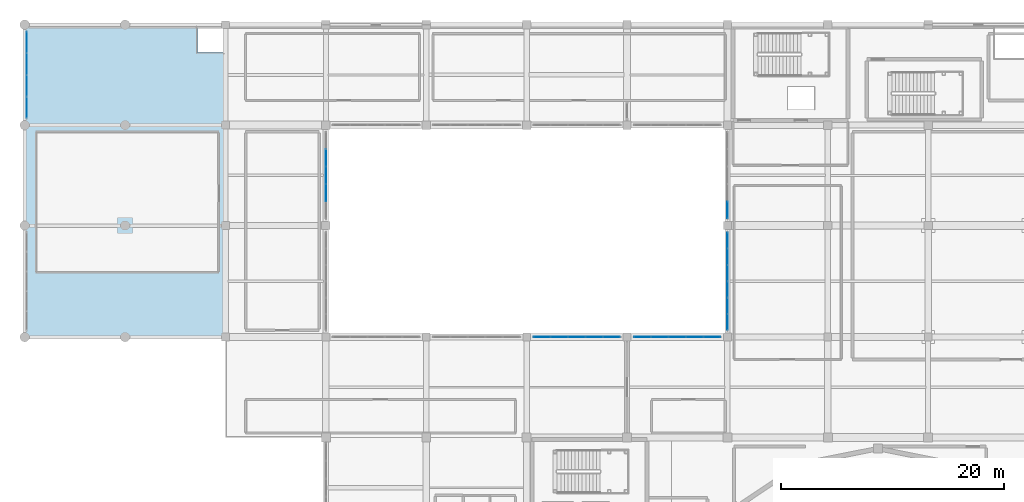
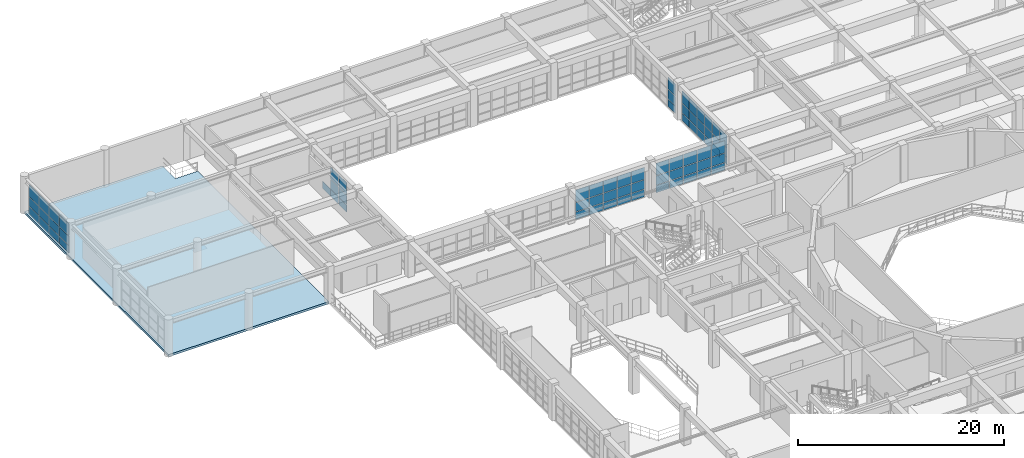
# One storey, part 96 of 133: 70 plates, 1 slab, 6 elements without a shape of their own.
"""IFC4 building model written with IfcOpenShell, lengths in metres."""

import ifcopenshell
import ifcopenshell.guid

model = None  # the IFC model being written
_history = None  # IfcOwnerHistory: only IFC2X3 demands one
_inside = {}  # id of a spatial element -> (the spatial element, [elements in it])
_under = {}  # id of a project, library or spatial element -> (it, [spatial elements below it])
_declared = {}  # id of a project -> (the project, [libraries it declares])
_typed = {}  # id of a type object -> (the type object, [elements of that type])
_made_of = {}  # id of a material, layer set ... -> (it, [elements and type objects made of it])


def new_model(schema):
    """Start an empty IFC model of exactly this schema.

    Asked for "IFC4X3", IfcOpenShell would pick the latest addendum, in which some entities
    have other attributes; the version numbers below select the first issue.
    IFC2X3 requires an IfcOwnerHistory on every rooted entity: one is made here for all.
    """
    global model, _history
    if schema == "IFC4X3":
        model = ifcopenshell.file(schema_version=(4, 3, 0, 0))
    else:
        model = ifcopenshell.file(schema=schema)
    _inside.clear()
    _under.clear()
    _declared.clear()
    _typed.clear()
    _made_of.clear()
    _history = None
    if model.schema == "IFC2X3":
        org = make("IfcOrganization", Name="unknown")
        user = make(
            "IfcPersonAndOrganization",
            ThePerson=make("IfcPerson", FamilyName="unknown"),
            TheOrganization=org,
        )
        app = make(
            "IfcApplication",
            ApplicationDeveloper=org,
            Version="unknown",
            ApplicationFullName="unknown",
            ApplicationIdentifier="unknown",
        )
        _history = make(
            "IfcOwnerHistory",
            OwningUser=user,
            OwningApplication=app,
            ChangeAction="ADDED",
            CreationDate=0,
        )
    return model


def make(cls, **values):
    """One entity of the class cls with the attributes given. An attribute that is None is left unset."""
    return model.create_entity(
        cls, **{name: value for name, value in values.items() if value is not None}
    )


def rooted(cls, **values):
    """An entity with a GlobalId (a new one), such as an element, a storey or a relation."""
    return make(cls, GlobalId=ifcopenshell.guid.new(), OwnerHistory=_history, **values)


def si_unit(unit_type, name, prefix=None):
    """IfcSIUnit, for example si_unit("LENGTHUNIT", "METRE", prefix="MILLI")."""
    return make("IfcSIUnit", UnitType=unit_type, Prefix=prefix, Name=name)


def assignment(units):
    """IfcUnitAssignment: the units of a project."""
    return None if units is None else make("IfcUnitAssignment", Units=units)


def point(xyz):
    """IfcCartesianPoint."""
    return None if xyz is None else make("IfcCartesianPoint", Coordinates=xyz)


def direction(xyz):
    """IfcDirection."""
    return None if xyz is None else make("IfcDirection", DirectionRatios=xyz)


def frame(location, z_axis=None, x_axis=None):
    """IfcAxis2Placement3D, a coordinate frame: its origin and axes. An axis left out is left unset."""
    return make(
        "IfcAxis2Placement3D",
        Location=point(location),
        Axis=direction(z_axis),
        RefDirection=direction(x_axis),
    )


def frame_2d(location, x_axis=None):
    """IfcAxis2Placement2D, a coordinate frame in the plane: its origin and x axis."""
    return make(
        "IfcAxis2Placement2D", Location=point(location), RefDirection=direction(x_axis)
    )


def origin():
    """The frame at (0, 0, 0) with its axes left unset."""
    return frame((0.0, 0.0, 0.0))


def origin_2d():
    """The frame at (0, 0) in the plane with its x axis left unset."""
    return frame_2d((0.0, 0.0))


def place(relative_to, where):
    """IfcLocalPlacement: puts the frame where relative to a parent placement (None: the world)."""
    return make(
        "IfcLocalPlacement", PlacementRelTo=relative_to, RelativePlacement=where
    )


def context(
    kind, dimensions, precision=None, world=None, true_north=None, identifier=None
):
    """IfcGeometricRepresentationContext, for example the 3D "Model" context."""
    return make(
        "IfcGeometricRepresentationContext",
        ContextIdentifier=identifier,
        ContextType=kind,
        CoordinateSpaceDimension=dimensions,
        Precision=precision,
        WorldCoordinateSystem=world,
        TrueNorth=true_north,
    )


def subcontext(parent, identifier, kind, view, scale=None):
    """IfcGeometricRepresentationSubContext, for example "Body" below "Model"."""
    return make(
        "IfcGeometricRepresentationSubContext",
        ContextIdentifier=identifier,
        ContextType=kind,
        ParentContext=parent,
        TargetScale=scale,
        TargetView=view,
    )


def project(units=None, contexts=None):
    """IfcProject with its units and contexts."""
    return rooted(
        "IfcProject",
        Name="project",
        RepresentationContexts=contexts,
        UnitsInContext=assignment(units),
    )


def spatial(cls, under=None, at=None, **own):
    """A site, building, storey or space (cls), placed at a placement, below another one or the project."""
    s = rooted(cls, ObjectPlacement=at, **own)
    if under is not None:
        _under.setdefault(under.id(), (under, []))[1].append(s)
    return s


def polyline(points):
    """IfcPolyline through the points."""
    return make("IfcPolyline", Points=[point(p) for p in points])


def profile(cls, at=None, kind="AREA", **sizes):
    """A parametric profile (cls). Its sizes go by their IFC names, for example OverallWidth=200.0."""
    return make(cls, ProfileType=kind, Position=at, **sizes)


def rectangle(**sizes):
    """IfcRectangleProfileDef."""
    return profile("IfcRectangleProfileDef", **sizes)


def outline(outer, holes=None, kind="AREA"):
    """IfcArbitraryClosedProfileDef: a profile drawn as a closed curve; with holes, ...WithVoids."""
    if holes is None:
        return make("IfcArbitraryClosedProfileDef", ProfileType=kind, OuterCurve=outer)
    return make(
        "IfcArbitraryProfileDefWithVoids",
        ProfileType=kind,
        OuterCurve=outer,
        InnerCurves=holes,
    )


def extrude(swept, where, along, depth):
    """IfcExtrudedAreaSolid: the profile swept, set in the frame where, extruded along a direction by depth."""
    return make(
        "IfcExtrudedAreaSolid",
        SweptArea=swept,
        Position=where,
        ExtrudedDirection=direction(along),
        Depth=depth,
    )


def shape(context_of_items, identifier, shape_type, items):
    """IfcShapeRepresentation: the items that make up one representation, for example the "Body"."""
    return make(
        "IfcShapeRepresentation",
        ContextOfItems=context_of_items,
        RepresentationIdentifier=identifier,
        RepresentationType=shape_type,
        Items=items,
    )


def material(Name=None, Category=None):
    """IfcMaterial."""
    return make("IfcMaterial", Name=Name, Category=Category)


def layer(
    of_material, thickness, ventilated=None, Name=None, Category=None, Priority=None
):
    """IfcMaterialLayer: one layer of a wall or slab, of a material (None: an air gap)."""
    return make(
        "IfcMaterialLayer",
        Material=of_material,
        LayerThickness=thickness,
        IsVentilated=ventilated,
        Name=Name,
        Category=Category,
        Priority=Priority,
    )


def layer_set(layers, Name=None):
    """IfcMaterialLayerSet."""
    return make("IfcMaterialLayerSet", MaterialLayers=layers, LayerSetName=Name)


def made_of(thing, what):
    """Note that an element or type object is made of a material, layer set ...; save() writes the relation."""
    if what is not None:
        _made_of.setdefault(what.id(), (what, []))[1].append(thing)
    return thing


def type_object(cls, material=None, **own):
    """A type object (cls), such as IfcWallType, which elements share."""
    return made_of(rooted(cls, **own), material)


def element(
    cls,
    number,
    at=None,
    inside=None,
    cuts=None,
    type_object=None,
    material=None,
    context=None,
    identifier="Body",
    shape_type=None,
    held_by="IfcProductDefinitionShape",
    body=None,
    shapes=None,
    **own,
):
    """One element of the class cls, such as IfcWall. Its Tag is "e" and its number.

    at: its placement. inside: the storey or other place that contains it. cuts: it is an
    opening in that element (IfcRelVoidsElement). A single representation is given by context,
    identifier, shape_type and body (its items); several are given by shapes. held_by: the class
    of the entity that holds the representations. save() writes the other relations.
    """
    e = rooted(cls, Tag="e%d" % number, ObjectPlacement=at, **own)
    if body is not None:
        shapes = [shape(context, identifier, shape_type, body)]
    if shapes is not None:
        e.Representation = make(held_by, Representations=shapes)
    if inside is not None:
        _inside.setdefault(inside.id(), (inside, []))[1].append(e)
    if cuts is not None:
        rooted(
            "IfcRelVoidsElement", RelatingBuildingElement=cuts, RelatedOpeningElement=e
        )
    if type_object is not None:
        _typed.setdefault(type_object.id(), (type_object, []))[1].append(e)
    return made_of(e, material)


def aggregate(whole, parts):
    """IfcRelAggregates: a whole, such as a stair, and the parts it consists of."""
    return rooted("IfcRelAggregates", RelatingObject=whole, RelatedObjects=parts)


def save(model, path):
    """Write the relations noted so far, then the file.

    IfcRelAggregates (storeys below a building ...), IfcRelContainedInSpatialStructure (elements
    in a storey), IfcRelDefinesByType, IfcRelAssociatesMaterial and IfcRelDeclares: one each for
    every whole, place, type object, material and project.
    """
    for whole, parts in _under.values():
        aggregate(whole, parts)
    for where, things in _inside.values():
        rooted(
            "IfcRelContainedInSpatialStructure",
            RelatedElements=things,
            RelatingStructure=where,
        )
    for kind, things in _typed.values():
        rooted("IfcRelDefinesByType", RelatedObjects=things, RelatingType=kind)
    for what, things in _made_of.values():
        rooted("IfcRelAssociatesMaterial", RelatedObjects=things, RelatingMaterial=what)
    for by, libraries in _declared.values():
        rooted("IfcRelDeclares", RelatingContext=by, RelatedDefinitions=libraries)
    model.write(path)


model = new_model("IFC4")

# Units and contexts
model_context = context("Model", 3, precision=1e-05, world=origin(), true_north=direction((0.0, 1.0)))
body_context = subcontext(model_context, "Body", "Model", "MODEL_VIEW")
ifc_project = project(units=[si_unit("LENGTHUNIT", "METRE"), si_unit("AREAUNIT", "SQUARE_METRE"), si_unit("VOLUMEUNIT", "CUBIC_METRE"), si_unit("PLANEANGLEUNIT", "RADIAN"), si_unit("MASSUNIT", "GRAM", prefix="KILO")], contexts=[model_context])

# Site, building, storey
site_placement = place(None, origin())
site = spatial("IfcSite", under=ifc_project, at=site_placement, CompositionType="ELEMENT")
building_placement = place(site_placement, origin())
building = spatial("IfcBuilding", under=site, at=building_placement, Name="Miravela Opera House", CompositionType="ELEMENT")
storey_placement = place(building_placement, frame((0.0, 0.0, 5.10009765625)))
storey = spatial("IfcBuildingStorey", under=building, at=storey_placement, Name="L01", CompositionType="ELEMENT", Elevation=5.10009765625)

# Curtain wall, plates
ifc_material_1 = material(Name="Anodised architectural bronze aluminium 6063-T6", Category="aluminium")
curtain_wall_type_1 = type_object("IfcCurtainWallType", Name="ARC-CW-05", PredefinedType="NOTDEFINED", material=ifc_material_1)
curtain_wall_1_placement = place(storey_placement, origin())
curtain_wall_1 = element("IfcCurtainWall", 1, at=curtain_wall_1_placement, inside=storey, type_object=curtain_wall_type_1, Name="Courtyard Arcade Curtain Wall CW-L01-081", PredefinedType="NOTDEFINED")
ifc_material_2 = material(Name="Acoustic laminated low-E insulating glass", Category="glass")
ifc_layer_1 = layer(ifc_material_2, 0.028076171875)
ifc_layer_set_1 = layer_set([ifc_layer_1])
plate_type = type_object("IfcPlateType", Name="ARC-CWP-28", PredefinedType="CURTAIN_PANEL", material=ifc_layer_set_1)
plate_1_placement = place(storey_placement, frame((46.37890625, 84.0, 0.06005859375), z_axis=(0.0, 0.0, 1.0), x_axis=(1.0, 0.0, 0.0)))
plate_1 = element("IfcPlate", 2, at=plate_1_placement, type_object=plate_type, Name="CW-05 panel 1.1", PredefinedType="CURTAIN_PANEL", context=body_context, shape_type="SweptSolid", body=[
    extrude(rectangle(XDim=1.47802734375, YDim=0.028076171875, at=origin_2d()), origin(), (0.0, 0.0, 1.0), 0.860107421875),
])
plate_2_placement = place(storey_placement, frame((46.37890625, 84.0, 0.97998046875), z_axis=(0.0, 0.0, 1.0), x_axis=(1.0, 0.0, 0.0)))
plate_2 = element("IfcPlate", 3, at=plate_2_placement, type_object=plate_type, Name="CW-05 panel 1.2", PredefinedType="CURTAIN_PANEL", context=body_context, shape_type="SweptSolid", body=[
    extrude(rectangle(XDim=1.47802734375, YDim=0.028076171875, at=origin_2d()), origin(), (0.0, 0.0, 1.0), 1.083740234375),
])
plate_3_placement = place(storey_placement, frame((46.37890625, 84.0, 2.123779296875), z_axis=(0.0, 0.0, 1.0), x_axis=(1.0, 0.0, 0.0)))
plate_3 = element("IfcPlate", 4, at=plate_3_placement, type_object=plate_type, Name="CW-05 panel 1.3", PredefinedType="CURTAIN_PANEL", context=body_context, shape_type="SweptSolid", body=[
    extrude(rectangle(XDim=1.47802734375, YDim=0.028076171875, at=origin_2d()), origin(), (0.0, 0.0, 1.0), 1.42626953125),
])
plate_4_placement = place(storey_placement, frame((47.931884765625, 84.0, 0.06005859375), z_axis=(0.0, 0.0, 1.0), x_axis=(1.0, 0.0, 0.0)))
plate_4 = element("IfcPlate", 5, at=plate_4_placement, type_object=plate_type, Name="CW-05 panel 2.1", PredefinedType="CURTAIN_PANEL", context=body_context, shape_type="SweptSolid", body=[
    extrude(rectangle(XDim=1.508056640625, YDim=0.028076171875, at=origin_2d()), origin(), (0.0, 0.0, 1.0), 0.860107421875),
])
plate_5_placement = place(storey_placement, frame((47.931884765625, 84.0, 0.97998046875), z_axis=(0.0, 0.0, 1.0), x_axis=(1.0, 0.0, 0.0)))
plate_5 = element("IfcPlate", 6, at=plate_5_placement, type_object=plate_type, Name="CW-05 panel 2.2", PredefinedType="CURTAIN_PANEL", context=body_context, shape_type="SweptSolid", body=[
    extrude(rectangle(XDim=1.508056640625, YDim=0.028076171875, at=origin_2d()), origin(), (0.0, 0.0, 1.0), 1.083740234375),
])
plate_6_placement = place(storey_placement, frame((47.931884765625, 84.0, 2.123779296875), z_axis=(0.0, 0.0, 1.0), x_axis=(1.0, 0.0, 0.0)))
plate_6 = element("IfcPlate", 7, at=plate_6_placement, type_object=plate_type, Name="CW-05 panel 2.3", PredefinedType="CURTAIN_PANEL", context=body_context, shape_type="SweptSolid", body=[
    extrude(rectangle(XDim=1.508056640625, YDim=0.028076171875, at=origin_2d()), origin(), (0.0, 0.0, 1.0), 1.42626953125),
])
plate_7_placement = place(storey_placement, frame((49.5, 84.0, 0.06005859375), z_axis=(0.0, 0.0, 1.0), x_axis=(1.0, 0.0, 0.0)))
plate_7 = element("IfcPlate", 8, at=plate_7_placement, type_object=plate_type, Name="CW-05 panel 3.1", PredefinedType="CURTAIN_PANEL", context=body_context, shape_type="SweptSolid", body=[
    extrude(rectangle(XDim=1.508056640625, YDim=0.028076171875, at=origin_2d()), origin(), (0.0, 0.0, 1.0), 0.860107421875),
])
plate_8_placement = place(storey_placement, frame((49.5, 84.0, 0.97998046875), z_axis=(0.0, 0.0, 1.0), x_axis=(1.0, 0.0, 0.0)))
plate_8 = element("IfcPlate", 9, at=plate_8_placement, type_object=plate_type, Name="CW-05 panel 3.2", PredefinedType="CURTAIN_PANEL", context=body_context, shape_type="SweptSolid", body=[
    extrude(rectangle(XDim=1.508056640625, YDim=0.028076171875, at=origin_2d()), origin(), (0.0, 0.0, 1.0), 1.083740234375),
])
plate_9_placement = place(storey_placement, frame((49.5, 84.0, 2.123779296875), z_axis=(0.0, 0.0, 1.0), x_axis=(1.0, 0.0, 0.0)))
plate_9 = element("IfcPlate", 10, at=plate_9_placement, type_object=plate_type, Name="CW-05 panel 3.3", PredefinedType="CURTAIN_PANEL", context=body_context, shape_type="SweptSolid", body=[
    extrude(rectangle(XDim=1.508056640625, YDim=0.028076171875, at=origin_2d()), origin(), (0.0, 0.0, 1.0), 1.42626953125),
])
plate_10_placement = place(storey_placement, frame((51.068115234375, 84.0, 0.06005859375), z_axis=(0.0, 0.0, 1.0), x_axis=(1.0, 0.0, 0.0)))
plate_10 = element("IfcPlate", 11, at=plate_10_placement, type_object=plate_type, Name="CW-05 panel 4.1", PredefinedType="CURTAIN_PANEL", context=body_context, shape_type="SweptSolid", body=[
    extrude(rectangle(XDim=1.508056640625, YDim=0.028076171875, at=origin_2d()), origin(), (0.0, 0.0, 1.0), 0.860107421875),
])
plate_11_placement = place(storey_placement, frame((51.068115234375, 84.0, 0.97998046875), z_axis=(0.0, 0.0, 1.0), x_axis=(1.0, 0.0, 0.0)))
plate_11 = element("IfcPlate", 12, at=plate_11_placement, type_object=plate_type, Name="CW-05 panel 4.2", PredefinedType="CURTAIN_PANEL", context=body_context, shape_type="SweptSolid", body=[
    extrude(rectangle(XDim=1.508056640625, YDim=0.028076171875, at=origin_2d()), origin(), (0.0, 0.0, 1.0), 1.083740234375),
])
plate_12_placement = place(storey_placement, frame((51.068115234375, 84.0, 2.123779296875), z_axis=(0.0, 0.0, 1.0), x_axis=(1.0, 0.0, 0.0)))
plate_12 = element("IfcPlate", 13, at=plate_12_placement, type_object=plate_type, Name="CW-05 panel 4.3", PredefinedType="CURTAIN_PANEL", context=body_context, shape_type="SweptSolid", body=[
    extrude(rectangle(XDim=1.508056640625, YDim=0.028076171875, at=origin_2d()), origin(), (0.0, 0.0, 1.0), 1.42626953125),
])
plate_13_placement = place(storey_placement, frame((52.62109375, 84.0, 0.06005859375), z_axis=(0.0, 0.0, 1.0), x_axis=(1.0, 0.0, 0.0)))
plate_13 = element("IfcPlate", 14, at=plate_13_placement, type_object=plate_type, Name="CW-05 panel 5.1", PredefinedType="CURTAIN_PANEL", context=body_context, shape_type="SweptSolid", body=[
    extrude(rectangle(XDim=1.47802734375, YDim=0.028076171875, at=origin_2d()), origin(), (0.0, 0.0, 1.0), 0.860107421875),
])
plate_14_placement = place(storey_placement, frame((52.62109375, 84.0, 0.97998046875), z_axis=(0.0, 0.0, 1.0), x_axis=(1.0, 0.0, 0.0)))
plate_14 = element("IfcPlate", 15, at=plate_14_placement, type_object=plate_type, Name="CW-05 panel 5.2", PredefinedType="CURTAIN_PANEL", context=body_context, shape_type="SweptSolid", body=[
    extrude(rectangle(XDim=1.47802734375, YDim=0.028076171875, at=origin_2d()), origin(), (0.0, 0.0, 1.0), 1.083740234375),
])
plate_15_placement = place(storey_placement, frame((52.62109375, 84.0, 2.123779296875), z_axis=(0.0, 0.0, 1.0), x_axis=(1.0, 0.0, 0.0)))
plate_15 = element("IfcPlate", 16, at=plate_15_placement, type_object=plate_type, Name="CW-05 panel 5.3", PredefinedType="CURTAIN_PANEL", context=body_context, shape_type="SweptSolid", body=[
    extrude(rectangle(XDim=1.47802734375, YDim=0.028076171875, at=origin_2d()), origin(), (0.0, 0.0, 1.0), 1.42626953125),
])
aggregate(curtain_wall_1, [plate_1, plate_2, plate_3, plate_4, plate_5, plate_6, plate_7, plate_8, plate_9, plate_10, plate_11, plate_12, plate_13, plate_14, plate_15])

curtain_wall_2_placement = place(storey_placement, origin())
curtain_wall_2 = element("IfcCurtainWall", 17, at=curtain_wall_2_placement, inside=storey, type_object=curtain_wall_type_1, Name="Courtyard Arcade Curtain Wall CW-L01-083", PredefinedType="NOTDEFINED")
plate_16_placement = place(storey_placement, frame((55.37890625, 84.0, 0.06005859375), z_axis=(0.0, 0.0, 1.0), x_axis=(1.0, 0.0, 0.0)))
plate_16 = element("IfcPlate", 18, at=plate_16_placement, type_object=plate_type, Name="CW-05 panel 1.1", PredefinedType="CURTAIN_PANEL", context=body_context, shape_type="SweptSolid", body=[
    extrude(rectangle(XDim=1.47802734375, YDim=0.028076171875, at=origin_2d()), origin(), (0.0, 0.0, 1.0), 0.860107421875),
])
plate_17_placement = place(storey_placement, frame((55.37890625, 84.0, 0.97998046875), z_axis=(0.0, 0.0, 1.0), x_axis=(1.0, 0.0, 0.0)))
plate_17 = element("IfcPlate", 19, at=plate_17_placement, type_object=plate_type, Name="CW-05 panel 1.2", PredefinedType="CURTAIN_PANEL", context=body_context, shape_type="SweptSolid", body=[
    extrude(rectangle(XDim=1.47802734375, YDim=0.028076171875, at=origin_2d()), origin(), (0.0, 0.0, 1.0), 1.083740234375),
])
plate_18_placement = place(storey_placement, frame((55.37890625, 84.0, 2.123779296875), z_axis=(0.0, 0.0, 1.0), x_axis=(1.0, 0.0, 0.0)))
plate_18 = element("IfcPlate", 20, at=plate_18_placement, type_object=plate_type, Name="CW-05 panel 1.3", PredefinedType="CURTAIN_PANEL", context=body_context, shape_type="SweptSolid", body=[
    extrude(rectangle(XDim=1.47802734375, YDim=0.028076171875, at=origin_2d()), origin(), (0.0, 0.0, 1.0), 1.42626953125),
])
plate_19_placement = place(storey_placement, frame((56.931884765625, 84.0, 0.06005859375), z_axis=(0.0, 0.0, 1.0), x_axis=(1.0, 0.0, 0.0)))
plate_19 = element("IfcPlate", 21, at=plate_19_placement, type_object=plate_type, Name="CW-05 panel 2.1", PredefinedType="CURTAIN_PANEL", context=body_context, shape_type="SweptSolid", body=[
    extrude(rectangle(XDim=1.508056640625, YDim=0.028076171875, at=origin_2d()), origin(), (0.0, 0.0, 1.0), 0.860107421875),
])
plate_20_placement = place(storey_placement, frame((56.931884765625, 84.0, 0.97998046875), z_axis=(0.0, 0.0, 1.0), x_axis=(1.0, 0.0, 0.0)))
plate_20 = element("IfcPlate", 22, at=plate_20_placement, type_object=plate_type, Name="CW-05 panel 2.2", PredefinedType="CURTAIN_PANEL", context=body_context, shape_type="SweptSolid", body=[
    extrude(rectangle(XDim=1.508056640625, YDim=0.028076171875, at=origin_2d()), origin(), (0.0, 0.0, 1.0), 1.083740234375),
])
plate_21_placement = place(storey_placement, frame((56.931884765625, 84.0, 2.123779296875), z_axis=(0.0, 0.0, 1.0), x_axis=(1.0, 0.0, 0.0)))
plate_21 = element("IfcPlate", 23, at=plate_21_placement, type_object=plate_type, Name="CW-05 panel 2.3", PredefinedType="CURTAIN_PANEL", context=body_context, shape_type="SweptSolid", body=[
    extrude(rectangle(XDim=1.508056640625, YDim=0.028076171875, at=origin_2d()), origin(), (0.0, 0.0, 1.0), 1.42626953125),
])
plate_22_placement = place(storey_placement, frame((58.5, 84.0, 0.06005859375), z_axis=(0.0, 0.0, 1.0), x_axis=(1.0, 0.0, 0.0)))
plate_22 = element("IfcPlate", 24, at=plate_22_placement, type_object=plate_type, Name="CW-05 panel 3.1", PredefinedType="CURTAIN_PANEL", context=body_context, shape_type="SweptSolid", body=[
    extrude(rectangle(XDim=1.508056640625, YDim=0.028076171875, at=origin_2d()), origin(), (0.0, 0.0, 1.0), 0.860107421875),
])
plate_23_placement = place(storey_placement, frame((58.5, 84.0, 0.97998046875), z_axis=(0.0, 0.0, 1.0), x_axis=(1.0, 0.0, 0.0)))
plate_23 = element("IfcPlate", 25, at=plate_23_placement, type_object=plate_type, Name="CW-05 panel 3.2", PredefinedType="CURTAIN_PANEL", context=body_context, shape_type="SweptSolid", body=[
    extrude(rectangle(XDim=1.508056640625, YDim=0.028076171875, at=origin_2d()), origin(), (0.0, 0.0, 1.0), 1.083740234375),
])
plate_24_placement = place(storey_placement, frame((58.5, 84.0, 2.123779296875), z_axis=(0.0, 0.0, 1.0), x_axis=(1.0, 0.0, 0.0)))
plate_24 = element("IfcPlate", 26, at=plate_24_placement, type_object=plate_type, Name="CW-05 panel 3.3", PredefinedType="CURTAIN_PANEL", context=body_context, shape_type="SweptSolid", body=[
    extrude(rectangle(XDim=1.508056640625, YDim=0.028076171875, at=origin_2d()), origin(), (0.0, 0.0, 1.0), 1.42626953125),
])
plate_25_placement = place(storey_placement, frame((60.068115234375, 84.0, 0.06005859375), z_axis=(0.0, 0.0, 1.0), x_axis=(1.0, 0.0, 0.0)))
plate_25 = element("IfcPlate", 27, at=plate_25_placement, type_object=plate_type, Name="CW-05 panel 4.1", PredefinedType="CURTAIN_PANEL", context=body_context, shape_type="SweptSolid", body=[
    extrude(rectangle(XDim=1.508056640625, YDim=0.028076171875, at=origin_2d()), origin(), (0.0, 0.0, 1.0), 0.860107421875),
])
plate_26_placement = place(storey_placement, frame((60.068115234375, 84.0, 0.97998046875), z_axis=(0.0, 0.0, 1.0), x_axis=(1.0, 0.0, 0.0)))
plate_26 = element("IfcPlate", 28, at=plate_26_placement, type_object=plate_type, Name="CW-05 panel 4.2", PredefinedType="CURTAIN_PANEL", context=body_context, shape_type="SweptSolid", body=[
    extrude(rectangle(XDim=1.508056640625, YDim=0.028076171875, at=origin_2d()), origin(), (0.0, 0.0, 1.0), 1.083740234375),
])
plate_27_placement = place(storey_placement, frame((60.068115234375, 84.0, 2.123779296875), z_axis=(0.0, 0.0, 1.0), x_axis=(1.0, 0.0, 0.0)))
plate_27 = element("IfcPlate", 29, at=plate_27_placement, type_object=plate_type, Name="CW-05 panel 4.3", PredefinedType="CURTAIN_PANEL", context=body_context, shape_type="SweptSolid", body=[
    extrude(rectangle(XDim=1.508056640625, YDim=0.028076171875, at=origin_2d()), origin(), (0.0, 0.0, 1.0), 1.42626953125),
])
plate_28_placement = place(storey_placement, frame((61.62109375, 84.0, 0.06005859375), z_axis=(0.0, 0.0, 1.0), x_axis=(1.0, 0.0, 0.0)))
plate_28 = element("IfcPlate", 30, at=plate_28_placement, type_object=plate_type, Name="CW-05 panel 5.1", PredefinedType="CURTAIN_PANEL", context=body_context, shape_type="SweptSolid", body=[
    extrude(rectangle(XDim=1.47802734375, YDim=0.028076171875, at=origin_2d()), origin(), (0.0, 0.0, 1.0), 0.860107421875),
])
plate_29_placement = place(storey_placement, frame((61.62109375, 84.0, 0.97998046875), z_axis=(0.0, 0.0, 1.0), x_axis=(1.0, 0.0, 0.0)))
plate_29 = element("IfcPlate", 31, at=plate_29_placement, type_object=plate_type, Name="CW-05 panel 5.2", PredefinedType="CURTAIN_PANEL", context=body_context, shape_type="SweptSolid", body=[
    extrude(rectangle(XDim=1.47802734375, YDim=0.028076171875, at=origin_2d()), origin(), (0.0, 0.0, 1.0), 1.083740234375),
])
plate_30_placement = place(storey_placement, frame((61.62109375, 84.0, 2.123779296875), z_axis=(0.0, 0.0, 1.0), x_axis=(1.0, 0.0, 0.0)))
plate_30 = element("IfcPlate", 32, at=plate_30_placement, type_object=plate_type, Name="CW-05 panel 5.3", PredefinedType="CURTAIN_PANEL", context=body_context, shape_type="SweptSolid", body=[
    extrude(rectangle(XDim=1.47802734375, YDim=0.028076171875, at=origin_2d()), origin(), (0.0, 0.0, 1.0), 1.42626953125),
])
aggregate(curtain_wall_2, [plate_16, plate_17, plate_18, plate_19, plate_20, plate_21, plate_22, plate_23, plate_24, plate_25, plate_26, plate_27, plate_28, plate_29, plate_30])

curtain_wall_3_placement = place(storey_placement, origin())
curtain_wall_3 = element("IfcCurtainWall", 33, at=curtain_wall_3_placement, inside=storey, type_object=curtain_wall_type_1, Name="Courtyard Arcade Curtain Wall CW-L01-086", PredefinedType="NOTDEFINED")
plate_31_placement = place(storey_placement, frame((27.0, 96.931884765625, 0.06005859375), z_axis=(0.0, 0.0, 1.0), x_axis=(0.0, 1.0, 0.0)))
plate_31 = element("IfcPlate", 34, at=plate_31_placement, type_object=plate_type, Name="CW-05 panel 2.1", PredefinedType="CURTAIN_PANEL", context=body_context, shape_type="SweptSolid", body=[
    extrude(rectangle(XDim=1.508056640625, YDim=0.028076171875, at=origin_2d()), origin(), (0.0, 0.0, 1.0), 0.860107421875),
])
plate_32_placement = place(storey_placement, frame((27.0, 96.931884765625, 0.97998046875), z_axis=(0.0, 0.0, 1.0), x_axis=(0.0, 1.0, 0.0)))
plate_32 = element("IfcPlate", 35, at=plate_32_placement, type_object=plate_type, Name="CW-05 panel 2.2", PredefinedType="CURTAIN_PANEL", context=body_context, shape_type="SweptSolid", body=[
    extrude(rectangle(XDim=1.508056640625, YDim=0.028076171875, at=origin_2d()), origin(), (0.0, 0.0, 1.0), 1.083740234375),
])
plate_33_placement = place(storey_placement, frame((27.0, 96.931884765625, 2.123779296875), z_axis=(0.0, 0.0, 1.0), x_axis=(0.0, 1.0, 0.0)))
plate_33 = element("IfcPlate", 36, at=plate_33_placement, type_object=plate_type, Name="CW-05 panel 2.3", PredefinedType="CURTAIN_PANEL", context=body_context, shape_type="SweptSolid", body=[
    extrude(rectangle(XDim=1.508056640625, YDim=0.028076171875, at=origin_2d()), origin(), (0.0, 0.0, 1.0), 1.42626953125),
])
plate_34_placement = place(storey_placement, frame((27.0, 98.5, 0.06005859375), z_axis=(0.0, 0.0, 1.0), x_axis=(0.0, 1.0, 0.0)))
plate_34 = element("IfcPlate", 37, at=plate_34_placement, type_object=plate_type, Name="CW-05 panel 3.1", PredefinedType="CURTAIN_PANEL", context=body_context, shape_type="SweptSolid", body=[
    extrude(rectangle(XDim=1.508056640625, YDim=0.028076171875, at=origin_2d()), origin(), (0.0, 0.0, 1.0), 0.860107421875),
])
plate_35_placement = place(storey_placement, frame((27.0, 98.5, 0.97998046875), z_axis=(0.0, 0.0, 1.0), x_axis=(0.0, 1.0, 0.0)))
plate_35 = element("IfcPlate", 38, at=plate_35_placement, type_object=plate_type, Name="CW-05 panel 3.2", PredefinedType="CURTAIN_PANEL", context=body_context, shape_type="SweptSolid", body=[
    extrude(rectangle(XDim=1.508056640625, YDim=0.028076171875, at=origin_2d()), origin(), (0.0, 0.0, 1.0), 1.083740234375),
])
plate_36_placement = place(storey_placement, frame((27.0, 98.5, 2.123779296875), z_axis=(0.0, 0.0, 1.0), x_axis=(0.0, 1.0, 0.0)))
plate_36 = element("IfcPlate", 39, at=plate_36_placement, type_object=plate_type, Name="CW-05 panel 3.3", PredefinedType="CURTAIN_PANEL", context=body_context, shape_type="SweptSolid", body=[
    extrude(rectangle(XDim=1.508056640625, YDim=0.028076171875, at=origin_2d()), origin(), (0.0, 0.0, 1.0), 1.42626953125),
])
plate_37_placement = place(storey_placement, frame((27.0, 100.068115234375, 0.06005859375), z_axis=(0.0, 0.0, 1.0), x_axis=(0.0, 1.0, 0.0)))
plate_37 = element("IfcPlate", 40, at=plate_37_placement, type_object=plate_type, Name="CW-05 panel 4.1", PredefinedType="CURTAIN_PANEL", context=body_context, shape_type="SweptSolid", body=[
    extrude(rectangle(XDim=1.508056640625, YDim=0.028076171875, at=origin_2d()), origin(), (0.0, 0.0, 1.0), 0.860107421875),
])
aggregate(curtain_wall_3, [plate_31, plate_32, plate_33, plate_34, plate_35, plate_36, plate_37])

curtain_wall_4_placement = place(storey_placement, origin())
curtain_wall_4 = element("IfcCurtainWall", 41, at=curtain_wall_4_placement, inside=storey, type_object=curtain_wall_type_1, Name="Courtyard Arcade Curtain Wall CW-L01-087", PredefinedType="NOTDEFINED")
plate_38_placement = place(storey_placement, frame((63.0, 85.331787109375, 0.06005859375), z_axis=(0.0, 0.0, 1.0), x_axis=(0.0, 1.0, 0.0)))
plate_38 = element("IfcPlate", 42, at=plate_38_placement, type_object=plate_type, Name="CW-05 panel 1.1", PredefinedType="CURTAIN_PANEL", context=body_context, shape_type="SweptSolid", body=[
    extrude(rectangle(XDim=1.38330078125, YDim=0.028076171875, at=origin_2d()), origin(), (0.0, 0.0, 1.0), 0.860107421875),
])
plate_39_placement = place(storey_placement, frame((63.0, 85.331787109375, 0.97998046875), z_axis=(0.0, 0.0, 1.0), x_axis=(0.0, 1.0, 0.0)))
plate_39 = element("IfcPlate", 43, at=plate_39_placement, type_object=plate_type, Name="CW-05 panel 1.2", PredefinedType="CURTAIN_PANEL", context=body_context, shape_type="SweptSolid", body=[
    extrude(rectangle(XDim=1.38330078125, YDim=0.028076171875, at=origin_2d()), origin(), (0.0, 0.0, 1.0), 1.083740234375),
])
plate_40_placement = place(storey_placement, frame((63.0, 85.331787109375, 2.123779296875), z_axis=(0.0, 0.0, 1.0), x_axis=(0.0, 1.0, 0.0)))
plate_40 = element("IfcPlate", 44, at=plate_40_placement, type_object=plate_type, Name="CW-05 panel 1.3", PredefinedType="CURTAIN_PANEL", context=body_context, shape_type="SweptSolid", body=[
    extrude(rectangle(XDim=1.38330078125, YDim=0.028076171875, at=origin_2d()), origin(), (0.0, 0.0, 1.0), 1.42626953125),
])
plate_41_placement = place(storey_placement, frame((63.0, 86.7900390625, 0.06005859375), z_axis=(0.0, 0.0, 1.0), x_axis=(0.0, 1.0, 0.0)))
plate_41 = element("IfcPlate", 45, at=plate_41_placement, type_object=plate_type, Name="CW-05 panel 2.1", PredefinedType="CURTAIN_PANEL", context=body_context, shape_type="SweptSolid", body=[
    extrude(rectangle(XDim=1.413330078125, YDim=0.028076171875, at=origin_2d()), origin(), (0.0, 0.0, 1.0), 0.860107421875),
])
plate_42_placement = place(storey_placement, frame((63.0, 86.7900390625, 0.97998046875), z_axis=(0.0, 0.0, 1.0), x_axis=(0.0, 1.0, 0.0)))
plate_42 = element("IfcPlate", 46, at=plate_42_placement, type_object=plate_type, Name="CW-05 panel 2.2", PredefinedType="CURTAIN_PANEL", context=body_context, shape_type="SweptSolid", body=[
    extrude(rectangle(XDim=1.413330078125, YDim=0.028076171875, at=origin_2d()), origin(), (0.0, 0.0, 1.0), 1.083740234375),
])
plate_43_placement = place(storey_placement, frame((63.0, 86.7900390625, 2.123779296875), z_axis=(0.0, 0.0, 1.0), x_axis=(0.0, 1.0, 0.0)))
plate_43 = element("IfcPlate", 47, at=plate_43_placement, type_object=plate_type, Name="CW-05 panel 2.3", PredefinedType="CURTAIN_PANEL", context=body_context, shape_type="SweptSolid", body=[
    extrude(rectangle(XDim=1.413330078125, YDim=0.028076171875, at=origin_2d()), origin(), (0.0, 0.0, 1.0), 1.42626953125),
])
plate_44_placement = place(storey_placement, frame((63.0, 88.263427734375, 0.06005859375), z_axis=(0.0, 0.0, 1.0), x_axis=(0.0, 1.0, 0.0)))
plate_44 = element("IfcPlate", 48, at=plate_44_placement, type_object=plate_type, Name="CW-05 panel 3.1", PredefinedType="CURTAIN_PANEL", context=body_context, shape_type="SweptSolid", body=[
    extrude(rectangle(XDim=1.413330078125, YDim=0.028076171875, at=origin_2d()), origin(), (0.0, 0.0, 1.0), 0.860107421875),
])
plate_45_placement = place(storey_placement, frame((63.0, 88.263427734375, 0.97998046875), z_axis=(0.0, 0.0, 1.0), x_axis=(0.0, 1.0, 0.0)))
plate_45 = element("IfcPlate", 49, at=plate_45_placement, type_object=plate_type, Name="CW-05 panel 3.2", PredefinedType="CURTAIN_PANEL", context=body_context, shape_type="SweptSolid", body=[
    extrude(rectangle(XDim=1.413330078125, YDim=0.028076171875, at=origin_2d()), origin(), (0.0, 0.0, 1.0), 1.083740234375),
])
plate_46_placement = place(storey_placement, frame((63.0, 88.263427734375, 2.123779296875), z_axis=(0.0, 0.0, 1.0), x_axis=(0.0, 1.0, 0.0)))
plate_46 = element("IfcPlate", 50, at=plate_46_placement, type_object=plate_type, Name="CW-05 panel 3.3", PredefinedType="CURTAIN_PANEL", context=body_context, shape_type="SweptSolid", body=[
    extrude(rectangle(XDim=1.413330078125, YDim=0.028076171875, at=origin_2d()), origin(), (0.0, 0.0, 1.0), 1.42626953125),
])
plate_47_placement = place(storey_placement, frame((63.0, 89.736572265625, 0.06005859375), z_axis=(0.0, 0.0, 1.0), x_axis=(0.0, 1.0, 0.0)))
plate_47 = element("IfcPlate", 51, at=plate_47_placement, type_object=plate_type, Name="CW-05 panel 4.1", PredefinedType="CURTAIN_PANEL", context=body_context, shape_type="SweptSolid", body=[
    extrude(rectangle(XDim=1.413330078125, YDim=0.028076171875, at=origin_2d()), origin(), (0.0, 0.0, 1.0), 0.860107421875),
])
plate_48_placement = place(storey_placement, frame((63.0, 89.736572265625, 0.97998046875), z_axis=(0.0, 0.0, 1.0), x_axis=(0.0, 1.0, 0.0)))
plate_48 = element("IfcPlate", 52, at=plate_48_placement, type_object=plate_type, Name="CW-05 panel 4.2", PredefinedType="CURTAIN_PANEL", context=body_context, shape_type="SweptSolid", body=[
    extrude(rectangle(XDim=1.413330078125, YDim=0.028076171875, at=origin_2d()), origin(), (0.0, 0.0, 1.0), 1.083740234375),
])
plate_49_placement = place(storey_placement, frame((63.0, 89.736572265625, 2.123779296875), z_axis=(0.0, 0.0, 1.0), x_axis=(0.0, 1.0, 0.0)))
plate_49 = element("IfcPlate", 53, at=plate_49_placement, type_object=plate_type, Name="CW-05 panel 4.3", PredefinedType="CURTAIN_PANEL", context=body_context, shape_type="SweptSolid", body=[
    extrude(rectangle(XDim=1.413330078125, YDim=0.028076171875, at=origin_2d()), origin(), (0.0, 0.0, 1.0), 1.42626953125),
])
plate_50_placement = place(storey_placement, frame((63.0, 91.2099609375, 0.06005859375), z_axis=(0.0, 0.0, 1.0), x_axis=(0.0, 1.0, 0.0)))
plate_50 = element("IfcPlate", 54, at=plate_50_placement, type_object=plate_type, Name="CW-05 panel 5.1", PredefinedType="CURTAIN_PANEL", context=body_context, shape_type="SweptSolid", body=[
    extrude(rectangle(XDim=1.413330078125, YDim=0.028076171875, at=origin_2d()), origin(), (0.0, 0.0, 1.0), 0.860107421875),
])
plate_51_placement = place(storey_placement, frame((63.0, 91.2099609375, 0.97998046875), z_axis=(0.0, 0.0, 1.0), x_axis=(0.0, 1.0, 0.0)))
plate_51 = element("IfcPlate", 55, at=plate_51_placement, type_object=plate_type, Name="CW-05 panel 5.2", PredefinedType="CURTAIN_PANEL", context=body_context, shape_type="SweptSolid", body=[
    extrude(rectangle(XDim=1.413330078125, YDim=0.028076171875, at=origin_2d()), origin(), (0.0, 0.0, 1.0), 1.083740234375),
])
plate_52_placement = place(storey_placement, frame((63.0, 91.2099609375, 2.123779296875), z_axis=(0.0, 0.0, 1.0), x_axis=(0.0, 1.0, 0.0)))
plate_52 = element("IfcPlate", 56, at=plate_52_placement, type_object=plate_type, Name="CW-05 panel 5.3", PredefinedType="CURTAIN_PANEL", context=body_context, shape_type="SweptSolid", body=[
    extrude(rectangle(XDim=1.413330078125, YDim=0.028076171875, at=origin_2d()), origin(), (0.0, 0.0, 1.0), 1.42626953125),
])
plate_53_placement = place(storey_placement, frame((63.0, 92.668212890625, 0.06005859375), z_axis=(0.0, 0.0, 1.0), x_axis=(0.0, 1.0, 0.0)))
plate_53 = element("IfcPlate", 57, at=plate_53_placement, type_object=plate_type, Name="CW-05 panel 6.1", PredefinedType="CURTAIN_PANEL", context=body_context, shape_type="SweptSolid", body=[
    extrude(rectangle(XDim=1.38330078125, YDim=0.028076171875, at=origin_2d()), origin(), (0.0, 0.0, 1.0), 0.860107421875),
])
plate_54_placement = place(storey_placement, frame((63.0, 92.668212890625, 0.97998046875), z_axis=(0.0, 0.0, 1.0), x_axis=(0.0, 1.0, 0.0)))
plate_54 = element("IfcPlate", 58, at=plate_54_placement, type_object=plate_type, Name="CW-05 panel 6.2", PredefinedType="CURTAIN_PANEL", context=body_context, shape_type="SweptSolid", body=[
    extrude(rectangle(XDim=1.38330078125, YDim=0.028076171875, at=origin_2d()), origin(), (0.0, 0.0, 1.0), 1.083740234375),
])
plate_55_placement = place(storey_placement, frame((63.0, 92.668212890625, 2.123779296875), z_axis=(0.0, 0.0, 1.0), x_axis=(0.0, 1.0, 0.0)))
plate_55 = element("IfcPlate", 59, at=plate_55_placement, type_object=plate_type, Name="CW-05 panel 6.3", PredefinedType="CURTAIN_PANEL", context=body_context, shape_type="SweptSolid", body=[
    extrude(rectangle(XDim=1.38330078125, YDim=0.028076171875, at=origin_2d()), origin(), (0.0, 0.0, 1.0), 1.42626953125),
])
aggregate(curtain_wall_4, [plate_38, plate_39, plate_40, plate_41, plate_42, plate_43, plate_44, plate_45, plate_46, plate_47, plate_48, plate_49, plate_50, plate_51, plate_52, plate_53, plate_54, plate_55])

curtain_wall_5_placement = place(storey_placement, origin())
curtain_wall_5 = element("IfcCurtainWall", 60, at=curtain_wall_5_placement, inside=storey, type_object=curtain_wall_type_1, Name="Courtyard Arcade Curtain Wall CW-L01-088", PredefinedType="NOTDEFINED")
plate_56_placement = place(storey_placement, frame((63.0, 95.37890625, 0.06005859375), z_axis=(0.0, 0.0, 1.0), x_axis=(0.0, 1.0, 0.0)))
plate_56 = element("IfcPlate", 61, at=plate_56_placement, type_object=plate_type, Name="CW-05 panel 1.1", PredefinedType="CURTAIN_PANEL", context=body_context, shape_type="SweptSolid", body=[
    extrude(rectangle(XDim=1.47802734375, YDim=0.028076171875, at=origin_2d()), origin(), (0.0, 0.0, 1.0), 0.860107421875),
])
plate_57_placement = place(storey_placement, frame((63.0, 95.37890625, 0.97998046875), z_axis=(0.0, 0.0, 1.0), x_axis=(0.0, 1.0, 0.0)))
plate_57 = element("IfcPlate", 62, at=plate_57_placement, type_object=plate_type, Name="CW-05 panel 1.2", PredefinedType="CURTAIN_PANEL", context=body_context, shape_type="SweptSolid", body=[
    extrude(rectangle(XDim=1.47802734375, YDim=0.028076171875, at=origin_2d()), origin(), (0.0, 0.0, 1.0), 1.083740234375),
])
plate_58_placement = place(storey_placement, frame((63.0, 95.37890625, 2.123779296875), z_axis=(0.0, 0.0, 1.0), x_axis=(0.0, 1.0, 0.0)))
plate_58 = element("IfcPlate", 63, at=plate_58_placement, type_object=plate_type, Name="CW-05 panel 1.3", PredefinedType="CURTAIN_PANEL", context=body_context, shape_type="SweptSolid", body=[
    extrude(rectangle(XDim=1.47802734375, YDim=0.028076171875, at=origin_2d()), origin(), (0.0, 0.0, 1.0), 1.42626953125),
])
aggregate(curtain_wall_5, [plate_56, plate_57, plate_58])

curtain_wall_type_2 = type_object("IfcCurtainWallType", Name="ARC-CW-07", PredefinedType="NOTDEFINED", material=ifc_material_1)
curtain_wall_6_placement = place(storey_placement, origin())
curtain_wall_6 = element("IfcCurtainWall", 64, at=curtain_wall_6_placement, inside=storey, type_object=curtain_wall_type_2, Name="Courtyard Arcade Curtain Wall CW-L01-200", PredefinedType="NOTDEFINED")
plate_59_placement = place(storey_placement, frame((0.179931640625, 104.574951171875, 0.06005859375), z_axis=(0.0, 0.0, 1.0), x_axis=(0.0, 1.0, 0.0)))
plate_59 = element("IfcPlate", 65, at=plate_59_placement, type_object=plate_type, Name="CW-07 panel 1.1", PredefinedType="CURTAIN_PANEL", context=body_context, shape_type="SweptSolid", body=[
    extrude(rectangle(XDim=1.8701171875, YDim=0.028076171875, at=origin_2d()), origin(), (0.0, 0.0, 1.0), 0.860107421875),
])
plate_60_placement = place(storey_placement, frame((0.179931640625, 104.574951171875, 0.97998046875), z_axis=(0.0, 0.0, 1.0), x_axis=(0.0, 1.0, 0.0)))
plate_60 = element("IfcPlate", 66, at=plate_60_placement, type_object=plate_type, Name="CW-07 panel 1.2", PredefinedType="CURTAIN_PANEL", context=body_context, shape_type="SweptSolid", body=[
    extrude(rectangle(XDim=1.8701171875, YDim=0.028076171875, at=origin_2d()), origin(), (0.0, 0.0, 1.0), 1.083740234375),
])
plate_61_placement = place(storey_placement, frame((0.179931640625, 104.574951171875, 2.123779296875), z_axis=(0.0, 0.0, 1.0), x_axis=(0.0, 1.0, 0.0)))
plate_61 = element("IfcPlate", 67, at=plate_61_placement, type_object=plate_type, Name="CW-07 panel 1.3", PredefinedType="CURTAIN_PANEL", context=body_context, shape_type="SweptSolid", body=[
    extrude(rectangle(XDim=1.8701171875, YDim=0.028076171875, at=origin_2d()), origin(), (0.0, 0.0, 1.0), 1.42626953125),
])
plate_62_placement = place(storey_placement, frame((0.179931640625, 106.52001953125, 0.06005859375), z_axis=(0.0, 0.0, 1.0), x_axis=(0.0, 1.0, 0.0)))
plate_62 = element("IfcPlate", 68, at=plate_62_placement, type_object=plate_type, Name="CW-07 panel 2.1", PredefinedType="CURTAIN_PANEL", context=body_context, shape_type="SweptSolid", body=[
    extrude(rectangle(XDim=1.89990234375, YDim=0.028076171875, at=origin_2d()), origin(), (0.0, 0.0, 1.0), 0.860107421875),
])
plate_63_placement = place(storey_placement, frame((0.179931640625, 106.52001953125, 0.97998046875), z_axis=(0.0, 0.0, 1.0), x_axis=(0.0, 1.0, 0.0)))
plate_63 = element("IfcPlate", 69, at=plate_63_placement, type_object=plate_type, Name="CW-07 panel 2.2", PredefinedType="CURTAIN_PANEL", context=body_context, shape_type="SweptSolid", body=[
    extrude(rectangle(XDim=1.89990234375, YDim=0.028076171875, at=origin_2d()), origin(), (0.0, 0.0, 1.0), 1.083740234375),
])
plate_64_placement = place(storey_placement, frame((0.179931640625, 106.52001953125, 2.123779296875), z_axis=(0.0, 0.0, 1.0), x_axis=(0.0, 1.0, 0.0)))
plate_64 = element("IfcPlate", 70, at=plate_64_placement, type_object=plate_type, Name="CW-07 panel 2.3", PredefinedType="CURTAIN_PANEL", context=body_context, shape_type="SweptSolid", body=[
    extrude(rectangle(XDim=1.89990234375, YDim=0.028076171875, at=origin_2d()), origin(), (0.0, 0.0, 1.0), 1.42626953125),
])
plate_65_placement = place(storey_placement, frame((0.179931640625, 108.47998046875, 0.06005859375), z_axis=(0.0, 0.0, 1.0), x_axis=(0.0, 1.0, 0.0)))
plate_65 = element("IfcPlate", 71, at=plate_65_placement, type_object=plate_type, Name="CW-07 panel 3.1", PredefinedType="CURTAIN_PANEL", context=body_context, shape_type="SweptSolid", body=[
    extrude(rectangle(XDim=1.89990234375, YDim=0.028076171875, at=origin_2d()), origin(), (0.0, 0.0, 1.0), 0.860107421875),
])
plate_66_placement = place(storey_placement, frame((0.179931640625, 108.47998046875, 0.97998046875), z_axis=(0.0, 0.0, 1.0), x_axis=(0.0, 1.0, 0.0)))
plate_66 = element("IfcPlate", 72, at=plate_66_placement, type_object=plate_type, Name="CW-07 panel 3.2", PredefinedType="CURTAIN_PANEL", context=body_context, shape_type="SweptSolid", body=[
    extrude(rectangle(XDim=1.89990234375, YDim=0.028076171875, at=origin_2d()), origin(), (0.0, 0.0, 1.0), 1.083740234375),
])
plate_67_placement = place(storey_placement, frame((0.179931640625, 108.47998046875, 2.123779296875), z_axis=(0.0, 0.0, 1.0), x_axis=(0.0, 1.0, 0.0)))
plate_67 = element("IfcPlate", 73, at=plate_67_placement, type_object=plate_type, Name="CW-07 panel 3.3", PredefinedType="CURTAIN_PANEL", context=body_context, shape_type="SweptSolid", body=[
    extrude(rectangle(XDim=1.89990234375, YDim=0.028076171875, at=origin_2d()), origin(), (0.0, 0.0, 1.0), 1.42626953125),
])
plate_68_placement = place(storey_placement, frame((0.179931640625, 110.425048828125, 0.06005859375), z_axis=(0.0, 0.0, 1.0), x_axis=(0.0, 1.0, 0.0)))
plate_68 = element("IfcPlate", 74, at=plate_68_placement, type_object=plate_type, Name="CW-07 panel 4.1", PredefinedType="CURTAIN_PANEL", context=body_context, shape_type="SweptSolid", body=[
    extrude(rectangle(XDim=1.8701171875, YDim=0.028076171875, at=origin_2d()), origin(), (0.0, 0.0, 1.0), 0.860107421875),
])
plate_69_placement = place(storey_placement, frame((0.179931640625, 110.425048828125, 0.97998046875), z_axis=(0.0, 0.0, 1.0), x_axis=(0.0, 1.0, 0.0)))
plate_69 = element("IfcPlate", 75, at=plate_69_placement, type_object=plate_type, Name="CW-07 panel 4.2", PredefinedType="CURTAIN_PANEL", context=body_context, shape_type="SweptSolid", body=[
    extrude(rectangle(XDim=1.8701171875, YDim=0.028076171875, at=origin_2d()), origin(), (0.0, 0.0, 1.0), 1.083740234375),
])
plate_70_placement = place(storey_placement, frame((0.179931640625, 110.425048828125, 2.123779296875), z_axis=(0.0, 0.0, 1.0), x_axis=(0.0, 1.0, 0.0)))
plate_70 = element("IfcPlate", 76, at=plate_70_placement, type_object=plate_type, Name="CW-07 panel 4.3", PredefinedType="CURTAIN_PANEL", context=body_context, shape_type="SweptSolid", body=[
    extrude(rectangle(XDim=1.8701171875, YDim=0.028076171875, at=origin_2d()), origin(), (0.0, 0.0, 1.0), 1.42626953125),
])
aggregate(curtain_wall_6, [plate_59, plate_60, plate_61, plate_62, plate_63, plate_64, plate_65, plate_66, plate_67, plate_68, plate_69, plate_70])

# Slab
ifc_material_3 = material(Name="Concrete C35/45", Category="concrete")
ifc_layer_2 = layer(ifc_material_3, 0.25)
ifc_layer_set_2 = layer_set([ifc_layer_2])
slab_type = type_object("IfcSlabType", Name="STR-SLAB-FLR-250", PredefinedType="FLOOR", material=ifc_layer_set_2)
slab_placement = place(storey_placement, frame((0.0, 0.0, -0.25)))
element("IfcSlab", 77, at=slab_placement, inside=storey, type_object=slab_type, Name="Level L01 Floor Slab SLAB-L01-V5N", PredefinedType="FLOOR", context=body_context, shape_type="SweptSolid", body=[
    extrude(outline(polyline([(0.0, 84.0), (18.0, 84.0), (18.0, 109.5), (15.5, 109.5), (15.5, 112.0), (0.0, 112.0), (0.0, 84.0)])), origin(), (0.0, 0.0, 1.0), 0.25),
])

save(model, "model.ifc")
